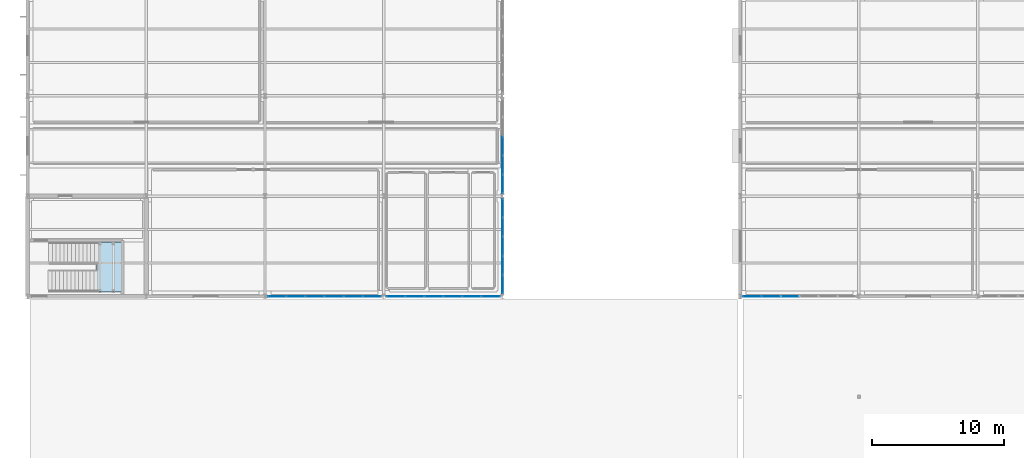
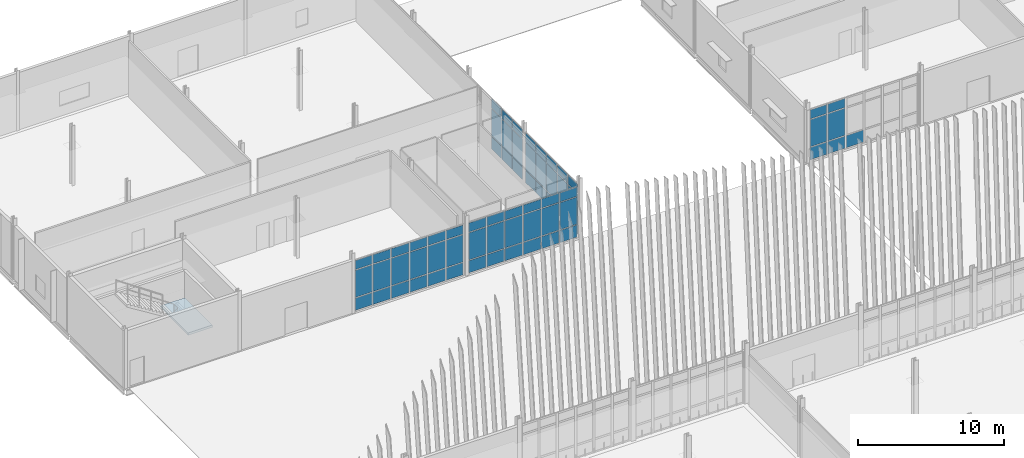
# One storey, part 127 of 161: 67 plates, 1 slab, 6 elements without a shape of their own.
"""IFC4 building model written with IfcOpenShell, lengths in metres."""

from ifc_helpers import new_model, si_unit, direction, frame, origin, origin_2d, place, context, subcontext, project, spatial, polyline, rectangle, outline, extrude, material, layer, layer_set, type_object, element, aggregate, save


model = new_model("IFC4")

# Units and contexts
model_context = context("Model", 3, precision=1e-05, world=origin(), true_north=direction((0.0, 1.0)))
body_context = subcontext(model_context, "Body", "Model", "MODEL_VIEW")
ifc_project = project(units=[si_unit("LENGTHUNIT", "METRE"), si_unit("AREAUNIT", "SQUARE_METRE"), si_unit("VOLUMEUNIT", "CUBIC_METRE"), si_unit("PLANEANGLEUNIT", "RADIAN"), si_unit("MASSUNIT", "GRAM", prefix="KILO")], contexts=[model_context])

# Site, building, storey
site_placement = place(None, origin())
site = spatial("IfcSite", under=ifc_project, at=site_placement, CompositionType="ELEMENT")
building_placement = place(site_placement, origin())
building = spatial("IfcBuilding", under=site, at=building_placement, Name="Caisbarro Railhouse Central Library", CompositionType="ELEMENT")
storey_placement = place(building_placement, origin())
storey = spatial("IfcBuildingStorey", under=building, at=storey_placement, Name="L00", CompositionType="ELEMENT", Elevation=0.0)

# Curtain wall, plates
ifc_material_1 = material(Name="Anodised architectural aluminium", Category="aluminium")
curtain_wall_type_1 = type_object("IfcCurtainWallType", Name="CW-CW02", PredefinedType="NOTDEFINED", material=ifc_material_1)
curtain_wall_1_placement = place(storey_placement, origin())
curtain_wall_1 = element("IfcCurtainWall", 1, at=curtain_wall_1_placement, inside=storey, type_object=curtain_wall_type_1, Name="CW02 curtain wall L00 #166", PredefinedType="NOTDEFINED")
ifc_material_2 = material(Name="Double low-e laminated solar-control glass", Category="glass")
ifc_layer_1 = layer(ifc_material_2, 0.01806640625, Name="Double low-e laminated solar-control glass")
ifc_layer_set_1 = layer_set([ifc_layer_1], Name="Double low-e laminated solar-control glass")
plate_type_1 = type_object("IfcPlateType", Name="CWP-CP18", PredefinedType="CURTAIN_PANEL", material=ifc_layer_set_1)
plate_1_placement = place(storey_placement, frame((54.902099609375, 83.60009765625, 0.06494140625), z_axis=(0.0, 0.0, 1.0), x_axis=(1.0, 0.0, 0.0)))
plate_1 = element("IfcPlate", 2, at=plate_1_placement, type_object=plate_type_1, Name="CW02 panel 1.1", PredefinedType="CURTAIN_PANEL", context=body_context, shape_type="SweptSolid", body=[
    extrude(rectangle(XDim=1.334228515625, YDim=0.01806640625, at=origin_2d()), origin(), (0.0, 0.0, 1.0), 1.0224609375),
])
plate_2_placement = place(storey_placement, frame((54.902099609375, 83.60009765625, 1.15234375), z_axis=(0.0, 0.0, 1.0), x_axis=(1.0, 0.0, 0.0)))
plate_2 = element("IfcPlate", 3, at=plate_2_placement, type_object=plate_type_1, Name="CW02 panel 1.2", PredefinedType="CURTAIN_PANEL", context=body_context, shape_type="SweptSolid", body=[
    extrude(rectangle(XDim=1.334228515625, YDim=0.01806640625, at=origin_2d()), origin(), (0.0, 0.0, 1.0), 2.264892578125),
])
plate_3_placement = place(storey_placement, frame((54.902099609375, 83.60009765625, 3.482421875), z_axis=(0.0, 0.0, 1.0), x_axis=(1.0, 0.0, 0.0)))
plate_3 = element("IfcPlate", 4, at=plate_3_placement, type_object=plate_type_1, Name="CW02 panel 1.3", PredefinedType="CURTAIN_PANEL", context=body_context, shape_type="SweptSolid", body=[
    extrude(rectangle(XDim=1.334228515625, YDim=0.01806640625, at=origin_2d()), origin(), (0.0, 0.0, 1.0), 0.75244140625),
])
plate_4_placement = place(storey_placement, frame((56.330078125, 83.60009765625, 0.06494140625), z_axis=(0.0, 0.0, 1.0), x_axis=(1.0, 0.0, 0.0)))
plate_4 = element("IfcPlate", 5, at=plate_4_placement, type_object=plate_type_1, Name="CW02 panel 2.1", PredefinedType="CURTAIN_PANEL", context=body_context, shape_type="SweptSolid", body=[
    extrude(rectangle(XDim=1.37158203125, YDim=0.01806640625, at=origin_2d()), origin(), (0.0, 0.0, 1.0), 1.0224609375),
])
plate_5_placement = place(storey_placement, frame((56.330078125, 83.60009765625, 1.15234375), z_axis=(0.0, 0.0, 1.0), x_axis=(1.0, 0.0, 0.0)))
plate_5 = element("IfcPlate", 6, at=plate_5_placement, type_object=plate_type_1, Name="CW02 panel 2.2", PredefinedType="CURTAIN_PANEL", context=body_context, shape_type="SweptSolid", body=[
    extrude(rectangle(XDim=1.37158203125, YDim=0.01806640625, at=origin_2d()), origin(), (0.0, 0.0, 1.0), 2.264892578125),
])
plate_6_placement = place(storey_placement, frame((56.330078125, 83.60009765625, 3.482421875), z_axis=(0.0, 0.0, 1.0), x_axis=(1.0, 0.0, 0.0)))
plate_6 = element("IfcPlate", 7, at=plate_6_placement, type_object=plate_type_1, Name="CW02 panel 2.3", PredefinedType="CURTAIN_PANEL", context=body_context, shape_type="SweptSolid", body=[
    extrude(rectangle(XDim=1.37158203125, YDim=0.01806640625, at=origin_2d()), origin(), (0.0, 0.0, 1.0), 0.75244140625),
])
plate_7_placement = place(storey_placement, frame((57.776611328125, 83.60009765625, 0.06494140625), z_axis=(0.0, 0.0, 1.0), x_axis=(1.0, 0.0, 0.0)))
plate_7 = element("IfcPlate", 8, at=plate_7_placement, type_object=plate_type_1, Name="CW02 panel 3.1", PredefinedType="CURTAIN_PANEL", context=body_context, shape_type="SweptSolid", body=[
    extrude(rectangle(XDim=1.37158203125, YDim=0.01806640625, at=origin_2d()), origin(), (0.0, 0.0, 1.0), 1.0224609375),
])
aggregate(curtain_wall_1, [plate_1, plate_2, plate_3, plate_4, plate_5, plate_6, plate_7])

curtain_wall_2_placement = place(storey_placement, origin())
curtain_wall_2 = element("IfcCurtainWall", 9, at=curtain_wall_2_placement, inside=storey, type_object=curtain_wall_type_1, Name="CW02 curtain wall L00 #76", PredefinedType="NOTDEFINED")
ifc_layer_2 = layer(ifc_material_2, 0.028076171875, Name="Double low-e laminated solar-control glass")
ifc_layer_set_2 = layer_set([ifc_layer_2], Name="Double low-e laminated solar-control glass")
plate_type_2 = type_object("IfcPlateType", Name="CWP-CP28", PredefinedType="CURTAIN_PANEL", material=ifc_layer_set_2)
plate_8_placement = place(storey_placement, frame((36.0, 84.5068359375, 0.06494140625), z_axis=(0.0, 0.0, 1.0), x_axis=(0.0, 1.0, 0.0)))
plate_8 = element("IfcPlate", 10, at=plate_8_placement, type_object=plate_type_2, Name="CW02 panel 1.1", PredefinedType="CURTAIN_PANEL", context=body_context, shape_type="SweptSolid", body=[
    extrude(rectangle(XDim=1.343505859375, YDim=0.028076171875, at=origin_2d()), origin(), (0.0, 0.0, 1.0), 1.0224609375),
])
plate_9_placement = place(storey_placement, frame((36.0, 84.5068359375, 1.15234375), z_axis=(0.0, 0.0, 1.0), x_axis=(0.0, 1.0, 0.0)))
plate_9 = element("IfcPlate", 11, at=plate_9_placement, type_object=plate_type_2, Name="CW02 panel 1.2", PredefinedType="CURTAIN_PANEL", context=body_context, shape_type="SweptSolid", body=[
    extrude(rectangle(XDim=1.343505859375, YDim=0.028076171875, at=origin_2d()), origin(), (0.0, 0.0, 1.0), 2.264892578125),
])
plate_10_placement = place(storey_placement, frame((36.0, 84.5068359375, 3.482421875), z_axis=(0.0, 0.0, 1.0), x_axis=(0.0, 1.0, 0.0)))
plate_10 = element("IfcPlate", 12, at=plate_10_placement, type_object=plate_type_2, Name="CW02 panel 1.3", PredefinedType="CURTAIN_PANEL", context=body_context, shape_type="SweptSolid", body=[
    extrude(rectangle(XDim=1.343505859375, YDim=0.028076171875, at=origin_2d()), origin(), (0.0, 0.0, 1.0), 0.75244140625),
])
plate_11_placement = place(storey_placement, frame((36.0, 85.944091796875, 0.06494140625), z_axis=(0.0, 0.0, 1.0), x_axis=(0.0, 1.0, 0.0)))
plate_11 = element("IfcPlate", 13, at=plate_11_placement, type_object=plate_type_2, Name="CW02 panel 2.1", PredefinedType="CURTAIN_PANEL", context=body_context, shape_type="SweptSolid", body=[
    extrude(rectangle(XDim=1.381103515625, YDim=0.028076171875, at=origin_2d()), origin(), (0.0, 0.0, 1.0), 1.0224609375),
])
plate_12_placement = place(storey_placement, frame((36.0, 85.944091796875, 1.15234375), z_axis=(0.0, 0.0, 1.0), x_axis=(0.0, 1.0, 0.0)))
plate_12 = element("IfcPlate", 14, at=plate_12_placement, type_object=plate_type_2, Name="CW02 panel 2.2", PredefinedType="CURTAIN_PANEL", context=body_context, shape_type="SweptSolid", body=[
    extrude(rectangle(XDim=1.381103515625, YDim=0.028076171875, at=origin_2d()), origin(), (0.0, 0.0, 1.0), 2.264892578125),
])
plate_13_placement = place(storey_placement, frame((36.0, 85.944091796875, 3.482421875), z_axis=(0.0, 0.0, 1.0), x_axis=(0.0, 1.0, 0.0)))
plate_13 = element("IfcPlate", 15, at=plate_13_placement, type_object=plate_type_2, Name="CW02 panel 2.3", PredefinedType="CURTAIN_PANEL", context=body_context, shape_type="SweptSolid", body=[
    extrude(rectangle(XDim=1.381103515625, YDim=0.028076171875, at=origin_2d()), origin(), (0.0, 0.0, 1.0), 0.75244140625),
])
plate_14_placement = place(storey_placement, frame((36.0, 87.39990234375, 0.06494140625), z_axis=(0.0, 0.0, 1.0), x_axis=(0.0, 1.0, 0.0)))
plate_14 = element("IfcPlate", 16, at=plate_14_placement, type_object=plate_type_2, Name="CW02 panel 3.1", PredefinedType="CURTAIN_PANEL", context=body_context, shape_type="SweptSolid", body=[
    extrude(rectangle(XDim=1.381103515625, YDim=0.028076171875, at=origin_2d()), origin(), (0.0, 0.0, 1.0), 1.0224609375),
])
plate_15_placement = place(storey_placement, frame((36.0, 87.39990234375, 1.15234375), z_axis=(0.0, 0.0, 1.0), x_axis=(0.0, 1.0, 0.0)))
plate_15 = element("IfcPlate", 17, at=plate_15_placement, type_object=plate_type_2, Name="CW02 panel 3.2", PredefinedType="CURTAIN_PANEL", context=body_context, shape_type="SweptSolid", body=[
    extrude(rectangle(XDim=1.381103515625, YDim=0.028076171875, at=origin_2d()), origin(), (0.0, 0.0, 1.0), 2.264892578125),
])
plate_16_placement = place(storey_placement, frame((36.0, 87.39990234375, 3.482421875), z_axis=(0.0, 0.0, 1.0), x_axis=(0.0, 1.0, 0.0)))
plate_16 = element("IfcPlate", 18, at=plate_16_placement, type_object=plate_type_2, Name="CW02 panel 3.3", PredefinedType="CURTAIN_PANEL", context=body_context, shape_type="SweptSolid", body=[
    extrude(rectangle(XDim=1.381103515625, YDim=0.028076171875, at=origin_2d()), origin(), (0.0, 0.0, 1.0), 0.75244140625),
])
plate_17_placement = place(storey_placement, frame((36.0, 88.85595703125, 0.06494140625), z_axis=(0.0, 0.0, 1.0), x_axis=(0.0, 1.0, 0.0)))
plate_17 = element("IfcPlate", 19, at=plate_17_placement, type_object=plate_type_2, Name="CW02 panel 4.1", PredefinedType="CURTAIN_PANEL", context=body_context, shape_type="SweptSolid", body=[
    extrude(rectangle(XDim=1.381103515625, YDim=0.028076171875, at=origin_2d()), origin(), (0.0, 0.0, 1.0), 1.0224609375),
])
plate_18_placement = place(storey_placement, frame((36.0, 88.85595703125, 1.15234375), z_axis=(0.0, 0.0, 1.0), x_axis=(0.0, 1.0, 0.0)))
plate_18 = element("IfcPlate", 20, at=plate_18_placement, type_object=plate_type_2, Name="CW02 panel 4.2", PredefinedType="CURTAIN_PANEL", context=body_context, shape_type="SweptSolid", body=[
    extrude(rectangle(XDim=1.381103515625, YDim=0.028076171875, at=origin_2d()), origin(), (0.0, 0.0, 1.0), 2.264892578125),
])
plate_19_placement = place(storey_placement, frame((36.0, 88.85595703125, 3.482421875), z_axis=(0.0, 0.0, 1.0), x_axis=(0.0, 1.0, 0.0)))
plate_19 = element("IfcPlate", 21, at=plate_19_placement, type_object=plate_type_2, Name="CW02 panel 4.3", PredefinedType="CURTAIN_PANEL", context=body_context, shape_type="SweptSolid", body=[
    extrude(rectangle(XDim=1.381103515625, YDim=0.028076171875, at=origin_2d()), origin(), (0.0, 0.0, 1.0), 0.75244140625),
])
plate_20_placement = place(storey_placement, frame((36.0, 90.293212890625, 0.06494140625), z_axis=(0.0, 0.0, 1.0), x_axis=(0.0, 1.0, 0.0)))
plate_20 = element("IfcPlate", 22, at=plate_20_placement, type_object=plate_type_2, Name="CW02 panel 5.1", PredefinedType="CURTAIN_PANEL", context=body_context, shape_type="SweptSolid", body=[
    extrude(rectangle(XDim=1.343505859375, YDim=0.028076171875, at=origin_2d()), origin(), (0.0, 0.0, 1.0), 1.0224609375),
])
plate_21_placement = place(storey_placement, frame((36.0, 90.293212890625, 1.15234375), z_axis=(0.0, 0.0, 1.0), x_axis=(0.0, 1.0, 0.0)))
plate_21 = element("IfcPlate", 23, at=plate_21_placement, type_object=plate_type_2, Name="CW02 panel 5.2", PredefinedType="CURTAIN_PANEL", context=body_context, shape_type="SweptSolid", body=[
    extrude(rectangle(XDim=1.343505859375, YDim=0.028076171875, at=origin_2d()), origin(), (0.0, 0.0, 1.0), 2.264892578125),
])
plate_22_placement = place(storey_placement, frame((36.0, 90.293212890625, 3.482421875), z_axis=(0.0, 0.0, 1.0), x_axis=(0.0, 1.0, 0.0)))
plate_22 = element("IfcPlate", 24, at=plate_22_placement, type_object=plate_type_2, Name="CW02 panel 5.3", PredefinedType="CURTAIN_PANEL", context=body_context, shape_type="SweptSolid", body=[
    extrude(rectangle(XDim=1.343505859375, YDim=0.028076171875, at=origin_2d()), origin(), (0.0, 0.0, 1.0), 0.75244140625),
])
aggregate(curtain_wall_2, [plate_8, plate_9, plate_10, plate_11, plate_12, plate_13, plate_14, plate_15, plate_16, plate_17, plate_18, plate_19, plate_20, plate_21, plate_22])

curtain_wall_3_placement = place(storey_placement, origin())
curtain_wall_3 = element("IfcCurtainWall", 25, at=curtain_wall_3_placement, inside=storey, type_object=curtain_wall_type_1, Name="CW02 curtain wall L00 #77", PredefinedType="NOTDEFINED")
plate_23_placement = place(storey_placement, frame((36.0, 92.106689453125, 0.06494140625), z_axis=(0.0, 0.0, 1.0), x_axis=(0.0, 1.0, 0.0)))
plate_23 = element("IfcPlate", 26, at=plate_23_placement, type_object=plate_type_2, Name="CW02 panel 1.1", PredefinedType="CURTAIN_PANEL", context=body_context, shape_type="SweptSolid", body=[
    extrude(rectangle(XDim=1.343505859375, YDim=0.028076171875, at=origin_2d()), origin(), (0.0, 0.0, 1.0), 1.0224609375),
])
plate_24_placement = place(storey_placement, frame((36.0, 92.106689453125, 1.15234375), z_axis=(0.0, 0.0, 1.0), x_axis=(0.0, 1.0, 0.0)))
plate_24 = element("IfcPlate", 27, at=plate_24_placement, type_object=plate_type_2, Name="CW02 panel 1.2", PredefinedType="CURTAIN_PANEL", context=body_context, shape_type="SweptSolid", body=[
    extrude(rectangle(XDim=1.343505859375, YDim=0.028076171875, at=origin_2d()), origin(), (0.0, 0.0, 1.0), 2.264892578125),
])
plate_25_placement = place(storey_placement, frame((36.0, 92.106689453125, 3.482421875), z_axis=(0.0, 0.0, 1.0), x_axis=(0.0, 1.0, 0.0)))
plate_25 = element("IfcPlate", 28, at=plate_25_placement, type_object=plate_type_2, Name="CW02 panel 1.3", PredefinedType="CURTAIN_PANEL", context=body_context, shape_type="SweptSolid", body=[
    extrude(rectangle(XDim=1.343505859375, YDim=0.028076171875, at=origin_2d()), origin(), (0.0, 0.0, 1.0), 0.75244140625),
])
plate_26_placement = place(storey_placement, frame((36.0, 93.5439453125, 0.06494140625), z_axis=(0.0, 0.0, 1.0), x_axis=(0.0, 1.0, 0.0)))
plate_26 = element("IfcPlate", 29, at=plate_26_placement, type_object=plate_type_2, Name="CW02 panel 2.1", PredefinedType="CURTAIN_PANEL", context=body_context, shape_type="SweptSolid", body=[
    extrude(rectangle(XDim=1.381103515625, YDim=0.028076171875, at=origin_2d()), origin(), (0.0, 0.0, 1.0), 1.0224609375),
])
plate_27_placement = place(storey_placement, frame((36.0, 93.5439453125, 1.15234375), z_axis=(0.0, 0.0, 1.0), x_axis=(0.0, 1.0, 0.0)))
plate_27 = element("IfcPlate", 30, at=plate_27_placement, type_object=plate_type_2, Name="CW02 panel 2.2", PredefinedType="CURTAIN_PANEL", context=body_context, shape_type="SweptSolid", body=[
    extrude(rectangle(XDim=1.381103515625, YDim=0.028076171875, at=origin_2d()), origin(), (0.0, 0.0, 1.0), 2.264892578125),
])
plate_28_placement = place(storey_placement, frame((36.0, 93.5439453125, 3.482421875), z_axis=(0.0, 0.0, 1.0), x_axis=(0.0, 1.0, 0.0)))
plate_28 = element("IfcPlate", 31, at=plate_28_placement, type_object=plate_type_2, Name="CW02 panel 2.3", PredefinedType="CURTAIN_PANEL", context=body_context, shape_type="SweptSolid", body=[
    extrude(rectangle(XDim=1.381103515625, YDim=0.028076171875, at=origin_2d()), origin(), (0.0, 0.0, 1.0), 0.75244140625),
])
plate_29_placement = place(storey_placement, frame((36.0, 95.0, 0.06494140625), z_axis=(0.0, 0.0, 1.0), x_axis=(0.0, 1.0, 0.0)))
plate_29 = element("IfcPlate", 32, at=plate_29_placement, type_object=plate_type_2, Name="CW02 panel 3.1", PredefinedType="CURTAIN_PANEL", context=body_context, shape_type="SweptSolid", body=[
    extrude(rectangle(XDim=1.381103515625, YDim=0.028076171875, at=origin_2d()), origin(), (0.0, 0.0, 1.0), 1.0224609375),
])
plate_30_placement = place(storey_placement, frame((36.0, 95.0, 1.15234375), z_axis=(0.0, 0.0, 1.0), x_axis=(0.0, 1.0, 0.0)))
plate_30 = element("IfcPlate", 33, at=plate_30_placement, type_object=plate_type_2, Name="CW02 panel 3.2", PredefinedType="CURTAIN_PANEL", context=body_context, shape_type="SweptSolid", body=[
    extrude(rectangle(XDim=1.381103515625, YDim=0.028076171875, at=origin_2d()), origin(), (0.0, 0.0, 1.0), 2.264892578125),
])
plate_31_placement = place(storey_placement, frame((36.0, 95.0, 3.482421875), z_axis=(0.0, 0.0, 1.0), x_axis=(0.0, 1.0, 0.0)))
plate_31 = element("IfcPlate", 34, at=plate_31_placement, type_object=plate_type_2, Name="CW02 panel 3.3", PredefinedType="CURTAIN_PANEL", context=body_context, shape_type="SweptSolid", body=[
    extrude(rectangle(XDim=1.381103515625, YDim=0.028076171875, at=origin_2d()), origin(), (0.0, 0.0, 1.0), 0.75244140625),
])
aggregate(curtain_wall_3, [plate_23, plate_24, plate_25, plate_26, plate_27, plate_28, plate_29, plate_30, plate_31])

curtain_wall_type_2 = type_object("IfcCurtainWallType", Name="CW-CW01", PredefinedType="NOTDEFINED", material=ifc_material_1)
curtain_wall_4_placement = place(storey_placement, origin())
curtain_wall_4 = element("IfcCurtainWall", 35, at=curtain_wall_4_placement, inside=storey, type_object=curtain_wall_type_2, Name="CW01 curtain wall L00 #74", PredefinedType="NOTDEFINED")
ifc_layer_3 = layer(ifc_material_2, 0.0380859375, Name="Double low-e laminated solar-control glass")
ifc_layer_set_3 = layer_set([ifc_layer_3], Name="Double low-e laminated solar-control glass")
plate_type_3 = type_object("IfcPlateType", Name="CWP-CP38", PredefinedType="CURTAIN_PANEL", material=ifc_layer_set_3)
plate_32_placement = place(storey_placement, frame((18.899658203125, 83.60009765625, 0.06494140625), z_axis=(0.0, 0.0, 1.0), x_axis=(1.0, 0.0, 0.0)))
plate_32 = element("IfcPlate", 36, at=plate_32_placement, type_object=plate_type_3, Name="CW01 panel 1.1", PredefinedType="CURTAIN_PANEL", context=body_context, shape_type="SweptSolid", body=[
    extrude(rectangle(XDim=1.34912109375, YDim=0.0380859375, at=origin_2d()), origin(), (0.0, 0.0, 1.0), 1.0224609375),
])
plate_33_placement = place(storey_placement, frame((18.899658203125, 83.60009765625, 1.15234375), z_axis=(0.0, 0.0, 1.0), x_axis=(1.0, 0.0, 0.0)))
plate_33 = element("IfcPlate", 37, at=plate_33_placement, type_object=plate_type_3, Name="CW01 panel 1.2", PredefinedType="CURTAIN_PANEL", context=body_context, shape_type="SweptSolid", body=[
    extrude(rectangle(XDim=1.34912109375, YDim=0.0380859375, at=origin_2d()), origin(), (0.0, 0.0, 1.0), 2.264892578125),
])
plate_34_placement = place(storey_placement, frame((18.899658203125, 83.60009765625, 3.482421875), z_axis=(0.0, 0.0, 1.0), x_axis=(1.0, 0.0, 0.0)))
plate_34 = element("IfcPlate", 38, at=plate_34_placement, type_object=plate_type_3, Name="CW01 panel 1.3", PredefinedType="CURTAIN_PANEL", context=body_context, shape_type="SweptSolid", body=[
    extrude(rectangle(XDim=1.34912109375, YDim=0.0380859375, at=origin_2d()), origin(), (0.0, 0.0, 1.0), 0.75244140625),
])
plate_35_placement = place(storey_placement, frame((20.330078125, 83.60009765625, 0.06494140625), z_axis=(0.0, 0.0, 1.0), x_axis=(1.0, 0.0, 0.0)))
plate_35 = element("IfcPlate", 39, at=plate_35_placement, type_object=plate_type_3, Name="CW01 panel 2.1", PredefinedType="CURTAIN_PANEL", context=body_context, shape_type="SweptSolid", body=[
    extrude(rectangle(XDim=1.381591796875, YDim=0.0380859375, at=origin_2d()), origin(), (0.0, 0.0, 1.0), 1.0224609375),
])
plate_36_placement = place(storey_placement, frame((20.330078125, 83.60009765625, 1.15234375), z_axis=(0.0, 0.0, 1.0), x_axis=(1.0, 0.0, 0.0)))
plate_36 = element("IfcPlate", 40, at=plate_36_placement, type_object=plate_type_3, Name="CW01 panel 2.2", PredefinedType="CURTAIN_PANEL", context=body_context, shape_type="SweptSolid", body=[
    extrude(rectangle(XDim=1.381591796875, YDim=0.0380859375, at=origin_2d()), origin(), (0.0, 0.0, 1.0), 2.264892578125),
])
plate_37_placement = place(storey_placement, frame((20.330078125, 83.60009765625, 3.482421875), z_axis=(0.0, 0.0, 1.0), x_axis=(1.0, 0.0, 0.0)))
plate_37 = element("IfcPlate", 41, at=plate_37_placement, type_object=plate_type_3, Name="CW01 panel 2.3", PredefinedType="CURTAIN_PANEL", context=body_context, shape_type="SweptSolid", body=[
    extrude(rectangle(XDim=1.381591796875, YDim=0.0380859375, at=origin_2d()), origin(), (0.0, 0.0, 1.0), 0.75244140625),
])
plate_38_placement = place(storey_placement, frame((21.776611328125, 83.60009765625, 0.06494140625), z_axis=(0.0, 0.0, 1.0), x_axis=(1.0, 0.0, 0.0)))
plate_38 = element("IfcPlate", 42, at=plate_38_placement, type_object=plate_type_3, Name="CW01 panel 3.1", PredefinedType="CURTAIN_PANEL", context=body_context, shape_type="SweptSolid", body=[
    extrude(rectangle(XDim=1.381591796875, YDim=0.0380859375, at=origin_2d()), origin(), (0.0, 0.0, 1.0), 1.0224609375),
])
plate_39_placement = place(storey_placement, frame((21.776611328125, 83.60009765625, 1.15234375), z_axis=(0.0, 0.0, 1.0), x_axis=(1.0, 0.0, 0.0)))
plate_39 = element("IfcPlate", 43, at=plate_39_placement, type_object=plate_type_3, Name="CW01 panel 3.2", PredefinedType="CURTAIN_PANEL", context=body_context, shape_type="SweptSolid", body=[
    extrude(rectangle(XDim=1.381591796875, YDim=0.0380859375, at=origin_2d()), origin(), (0.0, 0.0, 1.0), 2.264892578125),
])
plate_40_placement = place(storey_placement, frame((21.776611328125, 83.60009765625, 3.482421875), z_axis=(0.0, 0.0, 1.0), x_axis=(1.0, 0.0, 0.0)))
plate_40 = element("IfcPlate", 44, at=plate_40_placement, type_object=plate_type_3, Name="CW01 panel 3.3", PredefinedType="CURTAIN_PANEL", context=body_context, shape_type="SweptSolid", body=[
    extrude(rectangle(XDim=1.381591796875, YDim=0.0380859375, at=origin_2d()), origin(), (0.0, 0.0, 1.0), 0.75244140625),
])
plate_41_placement = place(storey_placement, frame((23.223388671875, 83.60009765625, 0.06494140625), z_axis=(0.0, 0.0, 1.0), x_axis=(1.0, 0.0, 0.0)))
plate_41 = element("IfcPlate", 45, at=plate_41_placement, type_object=plate_type_3, Name="CW01 panel 4.1", PredefinedType="CURTAIN_PANEL", context=body_context, shape_type="SweptSolid", body=[
    extrude(rectangle(XDim=1.381591796875, YDim=0.0380859375, at=origin_2d()), origin(), (0.0, 0.0, 1.0), 1.0224609375),
])
plate_42_placement = place(storey_placement, frame((23.223388671875, 83.60009765625, 1.15234375), z_axis=(0.0, 0.0, 1.0), x_axis=(1.0, 0.0, 0.0)))
plate_42 = element("IfcPlate", 46, at=plate_42_placement, type_object=plate_type_3, Name="CW01 panel 4.2", PredefinedType="CURTAIN_PANEL", context=body_context, shape_type="SweptSolid", body=[
    extrude(rectangle(XDim=1.381591796875, YDim=0.0380859375, at=origin_2d()), origin(), (0.0, 0.0, 1.0), 2.264892578125),
])
plate_43_placement = place(storey_placement, frame((23.223388671875, 83.60009765625, 3.482421875), z_axis=(0.0, 0.0, 1.0), x_axis=(1.0, 0.0, 0.0)))
plate_43 = element("IfcPlate", 47, at=plate_43_placement, type_object=plate_type_3, Name="CW01 panel 4.3", PredefinedType="CURTAIN_PANEL", context=body_context, shape_type="SweptSolid", body=[
    extrude(rectangle(XDim=1.381591796875, YDim=0.0380859375, at=origin_2d()), origin(), (0.0, 0.0, 1.0), 0.75244140625),
])
plate_44_placement = place(storey_placement, frame((24.669921875, 83.60009765625, 0.06494140625), z_axis=(0.0, 0.0, 1.0), x_axis=(1.0, 0.0, 0.0)))
plate_44 = element("IfcPlate", 48, at=plate_44_placement, type_object=plate_type_3, Name="CW01 panel 5.1", PredefinedType="CURTAIN_PANEL", context=body_context, shape_type="SweptSolid", body=[
    extrude(rectangle(XDim=1.381591796875, YDim=0.0380859375, at=origin_2d()), origin(), (0.0, 0.0, 1.0), 1.0224609375),
])
plate_45_placement = place(storey_placement, frame((24.669921875, 83.60009765625, 1.15234375), z_axis=(0.0, 0.0, 1.0), x_axis=(1.0, 0.0, 0.0)))
plate_45 = element("IfcPlate", 49, at=plate_45_placement, type_object=plate_type_3, Name="CW01 panel 5.2", PredefinedType="CURTAIN_PANEL", context=body_context, shape_type="SweptSolid", body=[
    extrude(rectangle(XDim=1.381591796875, YDim=0.0380859375, at=origin_2d()), origin(), (0.0, 0.0, 1.0), 2.264892578125),
])
plate_46_placement = place(storey_placement, frame((24.669921875, 83.60009765625, 3.482421875), z_axis=(0.0, 0.0, 1.0), x_axis=(1.0, 0.0, 0.0)))
plate_46 = element("IfcPlate", 50, at=plate_46_placement, type_object=plate_type_3, Name="CW01 panel 5.3", PredefinedType="CURTAIN_PANEL", context=body_context, shape_type="SweptSolid", body=[
    extrude(rectangle(XDim=1.381591796875, YDim=0.0380859375, at=origin_2d()), origin(), (0.0, 0.0, 1.0), 0.75244140625),
])
plate_47_placement = place(storey_placement, frame((26.100341796875, 83.60009765625, 0.06494140625), z_axis=(0.0, 0.0, 1.0), x_axis=(1.0, 0.0, 0.0)))
plate_47 = element("IfcPlate", 51, at=plate_47_placement, type_object=plate_type_3, Name="CW01 panel 6.1", PredefinedType="CURTAIN_PANEL", context=body_context, shape_type="SweptSolid", body=[
    extrude(rectangle(XDim=1.34912109375, YDim=0.0380859375, at=origin_2d()), origin(), (0.0, 0.0, 1.0), 1.0224609375),
])
plate_48_placement = place(storey_placement, frame((26.100341796875, 83.60009765625, 1.15234375), z_axis=(0.0, 0.0, 1.0), x_axis=(1.0, 0.0, 0.0)))
plate_48 = element("IfcPlate", 52, at=plate_48_placement, type_object=plate_type_3, Name="CW01 panel 6.2", PredefinedType="CURTAIN_PANEL", context=body_context, shape_type="SweptSolid", body=[
    extrude(rectangle(XDim=1.34912109375, YDim=0.0380859375, at=origin_2d()), origin(), (0.0, 0.0, 1.0), 2.264892578125),
])
plate_49_placement = place(storey_placement, frame((26.100341796875, 83.60009765625, 3.482421875), z_axis=(0.0, 0.0, 1.0), x_axis=(1.0, 0.0, 0.0)))
plate_49 = element("IfcPlate", 53, at=plate_49_placement, type_object=plate_type_3, Name="CW01 panel 6.3", PredefinedType="CURTAIN_PANEL", context=body_context, shape_type="SweptSolid", body=[
    extrude(rectangle(XDim=1.34912109375, YDim=0.0380859375, at=origin_2d()), origin(), (0.0, 0.0, 1.0), 0.75244140625),
])
aggregate(curtain_wall_4, [plate_32, plate_33, plate_34, plate_35, plate_36, plate_37, plate_38, plate_39, plate_40, plate_41, plate_42, plate_43, plate_44, plate_45, plate_46, plate_47, plate_48, plate_49])

curtain_wall_5_placement = place(storey_placement, origin())
curtain_wall_5 = element("IfcCurtainWall", 54, at=curtain_wall_5_placement, inside=storey, type_object=curtain_wall_type_2, Name="CW01 curtain wall L00 #75", PredefinedType="NOTDEFINED")
ifc_layer_4 = layer(ifc_material_2, 0.048095703125, Name="Double low-e laminated solar-control glass")
ifc_layer_set_4 = layer_set([ifc_layer_4], Name="Double low-e laminated solar-control glass")
plate_type_4 = type_object("IfcPlateType", Name="CWP-CP48", PredefinedType="CURTAIN_PANEL", material=ifc_layer_set_4)
plate_50_placement = place(storey_placement, frame((27.899658203125, 83.60009765625, 0.06494140625), z_axis=(0.0, 0.0, 1.0), x_axis=(1.0, 0.0, 0.0)))
plate_50 = element("IfcPlate", 55, at=plate_50_placement, type_object=plate_type_4, Name="CW01 panel 1.1", PredefinedType="CURTAIN_PANEL", context=body_context, shape_type="SweptSolid", body=[
    extrude(rectangle(XDim=1.34912109375, YDim=0.048095703125, at=origin_2d()), origin(), (0.0, 0.0, 1.0), 1.0224609375),
])
plate_51_placement = place(storey_placement, frame((27.899658203125, 83.60009765625, 1.15234375), z_axis=(0.0, 0.0, 1.0), x_axis=(1.0, 0.0, 0.0)))
plate_51 = element("IfcPlate", 56, at=plate_51_placement, type_object=plate_type_4, Name="CW01 panel 1.2", PredefinedType="CURTAIN_PANEL", context=body_context, shape_type="SweptSolid", body=[
    extrude(rectangle(XDim=1.34912109375, YDim=0.048095703125, at=origin_2d()), origin(), (0.0, 0.0, 1.0), 2.264892578125),
])
plate_52_placement = place(storey_placement, frame((27.899658203125, 83.60009765625, 3.482421875), z_axis=(0.0, 0.0, 1.0), x_axis=(1.0, 0.0, 0.0)))
plate_52 = element("IfcPlate", 57, at=plate_52_placement, type_object=plate_type_4, Name="CW01 panel 1.3", PredefinedType="CURTAIN_PANEL", context=body_context, shape_type="SweptSolid", body=[
    extrude(rectangle(XDim=1.34912109375, YDim=0.048095703125, at=origin_2d()), origin(), (0.0, 0.0, 1.0), 0.75244140625),
])
plate_53_placement = place(storey_placement, frame((29.330078125, 83.60009765625, 0.06494140625), z_axis=(0.0, 0.0, 1.0), x_axis=(1.0, 0.0, 0.0)))
plate_53 = element("IfcPlate", 58, at=plate_53_placement, type_object=plate_type_4, Name="CW01 panel 2.1", PredefinedType="CURTAIN_PANEL", context=body_context, shape_type="SweptSolid", body=[
    extrude(rectangle(XDim=1.381591796875, YDim=0.048095703125, at=origin_2d()), origin(), (0.0, 0.0, 1.0), 1.0224609375),
])
plate_54_placement = place(storey_placement, frame((29.330078125, 83.60009765625, 1.15234375), z_axis=(0.0, 0.0, 1.0), x_axis=(1.0, 0.0, 0.0)))
plate_54 = element("IfcPlate", 59, at=plate_54_placement, type_object=plate_type_4, Name="CW01 panel 2.2", PredefinedType="CURTAIN_PANEL", context=body_context, shape_type="SweptSolid", body=[
    extrude(rectangle(XDim=1.381591796875, YDim=0.048095703125, at=origin_2d()), origin(), (0.0, 0.0, 1.0), 2.264892578125),
])
plate_55_placement = place(storey_placement, frame((29.330078125, 83.60009765625, 3.482421875), z_axis=(0.0, 0.0, 1.0), x_axis=(1.0, 0.0, 0.0)))
plate_55 = element("IfcPlate", 60, at=plate_55_placement, type_object=plate_type_4, Name="CW01 panel 2.3", PredefinedType="CURTAIN_PANEL", context=body_context, shape_type="SweptSolid", body=[
    extrude(rectangle(XDim=1.381591796875, YDim=0.048095703125, at=origin_2d()), origin(), (0.0, 0.0, 1.0), 0.75244140625),
])
plate_56_placement = place(storey_placement, frame((30.776611328125, 83.60009765625, 0.06494140625), z_axis=(0.0, 0.0, 1.0), x_axis=(1.0, 0.0, 0.0)))
plate_56 = element("IfcPlate", 61, at=plate_56_placement, type_object=plate_type_4, Name="CW01 panel 3.1", PredefinedType="CURTAIN_PANEL", context=body_context, shape_type="SweptSolid", body=[
    extrude(rectangle(XDim=1.381591796875, YDim=0.048095703125, at=origin_2d()), origin(), (0.0, 0.0, 1.0), 1.0224609375),
])
plate_57_placement = place(storey_placement, frame((30.776611328125, 83.60009765625, 1.15234375), z_axis=(0.0, 0.0, 1.0), x_axis=(1.0, 0.0, 0.0)))
plate_57 = element("IfcPlate", 62, at=plate_57_placement, type_object=plate_type_4, Name="CW01 panel 3.2", PredefinedType="CURTAIN_PANEL", context=body_context, shape_type="SweptSolid", body=[
    extrude(rectangle(XDim=1.381591796875, YDim=0.048095703125, at=origin_2d()), origin(), (0.0, 0.0, 1.0), 2.264892578125),
])
plate_58_placement = place(storey_placement, frame((30.776611328125, 83.60009765625, 3.482421875), z_axis=(0.0, 0.0, 1.0), x_axis=(1.0, 0.0, 0.0)))
plate_58 = element("IfcPlate", 63, at=plate_58_placement, type_object=plate_type_4, Name="CW01 panel 3.3", PredefinedType="CURTAIN_PANEL", context=body_context, shape_type="SweptSolid", body=[
    extrude(rectangle(XDim=1.381591796875, YDim=0.048095703125, at=origin_2d()), origin(), (0.0, 0.0, 1.0), 0.75244140625),
])
plate_59_placement = place(storey_placement, frame((32.223388671875, 83.60009765625, 0.06494140625), z_axis=(0.0, 0.0, 1.0), x_axis=(1.0, 0.0, 0.0)))
plate_59 = element("IfcPlate", 64, at=plate_59_placement, type_object=plate_type_4, Name="CW01 panel 4.1", PredefinedType="CURTAIN_PANEL", context=body_context, shape_type="SweptSolid", body=[
    extrude(rectangle(XDim=1.381591796875, YDim=0.048095703125, at=origin_2d()), origin(), (0.0, 0.0, 1.0), 1.0224609375),
])
plate_60_placement = place(storey_placement, frame((32.223388671875, 83.60009765625, 1.15234375), z_axis=(0.0, 0.0, 1.0), x_axis=(1.0, 0.0, 0.0)))
plate_60 = element("IfcPlate", 65, at=plate_60_placement, type_object=plate_type_4, Name="CW01 panel 4.2", PredefinedType="CURTAIN_PANEL", context=body_context, shape_type="SweptSolid", body=[
    extrude(rectangle(XDim=1.381591796875, YDim=0.048095703125, at=origin_2d()), origin(), (0.0, 0.0, 1.0), 2.264892578125),
])
plate_61_placement = place(storey_placement, frame((32.223388671875, 83.60009765625, 3.482421875), z_axis=(0.0, 0.0, 1.0), x_axis=(1.0, 0.0, 0.0)))
plate_61 = element("IfcPlate", 66, at=plate_61_placement, type_object=plate_type_4, Name="CW01 panel 4.3", PredefinedType="CURTAIN_PANEL", context=body_context, shape_type="SweptSolid", body=[
    extrude(rectangle(XDim=1.381591796875, YDim=0.048095703125, at=origin_2d()), origin(), (0.0, 0.0, 1.0), 0.75244140625),
])
plate_62_placement = place(storey_placement, frame((33.669921875, 83.60009765625, 0.06494140625), z_axis=(0.0, 0.0, 1.0), x_axis=(1.0, 0.0, 0.0)))
plate_62 = element("IfcPlate", 67, at=plate_62_placement, type_object=plate_type_4, Name="CW01 panel 5.1", PredefinedType="CURTAIN_PANEL", context=body_context, shape_type="SweptSolid", body=[
    extrude(rectangle(XDim=1.381591796875, YDim=0.048095703125, at=origin_2d()), origin(), (0.0, 0.0, 1.0), 1.0224609375),
])
plate_63_placement = place(storey_placement, frame((33.669921875, 83.60009765625, 1.15234375), z_axis=(0.0, 0.0, 1.0), x_axis=(1.0, 0.0, 0.0)))
plate_63 = element("IfcPlate", 68, at=plate_63_placement, type_object=plate_type_4, Name="CW01 panel 5.2", PredefinedType="CURTAIN_PANEL", context=body_context, shape_type="SweptSolid", body=[
    extrude(rectangle(XDim=1.381591796875, YDim=0.048095703125, at=origin_2d()), origin(), (0.0, 0.0, 1.0), 2.264892578125),
])
plate_64_placement = place(storey_placement, frame((33.669921875, 83.60009765625, 3.482421875), z_axis=(0.0, 0.0, 1.0), x_axis=(1.0, 0.0, 0.0)))
plate_64 = element("IfcPlate", 69, at=plate_64_placement, type_object=plate_type_4, Name="CW01 panel 5.3", PredefinedType="CURTAIN_PANEL", context=body_context, shape_type="SweptSolid", body=[
    extrude(rectangle(XDim=1.381591796875, YDim=0.048095703125, at=origin_2d()), origin(), (0.0, 0.0, 1.0), 0.75244140625),
])
plate_65_placement = place(storey_placement, frame((35.100341796875, 83.60009765625, 0.06494140625), z_axis=(0.0, 0.0, 1.0), x_axis=(1.0, 0.0, 0.0)))
plate_65 = element("IfcPlate", 70, at=plate_65_placement, type_object=plate_type_4, Name="CW01 panel 6.1", PredefinedType="CURTAIN_PANEL", context=body_context, shape_type="SweptSolid", body=[
    extrude(rectangle(XDim=1.34912109375, YDim=0.048095703125, at=origin_2d()), origin(), (0.0, 0.0, 1.0), 1.0224609375),
])
plate_66_placement = place(storey_placement, frame((35.100341796875, 83.60009765625, 1.15234375), z_axis=(0.0, 0.0, 1.0), x_axis=(1.0, 0.0, 0.0)))
plate_66 = element("IfcPlate", 71, at=plate_66_placement, type_object=plate_type_4, Name="CW01 panel 6.2", PredefinedType="CURTAIN_PANEL", context=body_context, shape_type="SweptSolid", body=[
    extrude(rectangle(XDim=1.34912109375, YDim=0.048095703125, at=origin_2d()), origin(), (0.0, 0.0, 1.0), 2.264892578125),
])
plate_67_placement = place(storey_placement, frame((35.100341796875, 83.60009765625, 3.482421875), z_axis=(0.0, 0.0, 1.0), x_axis=(1.0, 0.0, 0.0)))
plate_67 = element("IfcPlate", 72, at=plate_67_placement, type_object=plate_type_4, Name="CW01 panel 6.3", PredefinedType="CURTAIN_PANEL", context=body_context, shape_type="SweptSolid", body=[
    extrude(rectangle(XDim=1.34912109375, YDim=0.048095703125, at=origin_2d()), origin(), (0.0, 0.0, 1.0), 0.75244140625),
])
aggregate(curtain_wall_5, [plate_50, plate_51, plate_52, plate_53, plate_54, plate_55, plate_56, plate_57, plate_58, plate_59, plate_60, plate_61, plate_62, plate_63, plate_64, plate_65, plate_66, plate_67])

# Stair, slab
ifc_material_3 = material(Name="Concrete C35", Category="concrete")
stair_type = type_object("IfcStairType", Name="STR-ST50", PredefinedType="HALF_TURN_STAIR", material=ifc_material_3)
stair_placement = place(storey_placement, origin())
stair = element("IfcStair", 73, at=stair_placement, inside=storey, type_object=stair_type, Name="Protected Stair ST-08 (L00)", PredefinedType="HALF_TURN_STAIR")
ifc_layer_5 = layer(ifc_material_3, 0.18994140625, Name="Concrete C35")
ifc_layer_set_5 = layer_set([ifc_layer_5], Name="Concrete C35")
slab_type = type_object("IfcSlabType", Name="SLB-LND19", PredefinedType="LANDING", material=ifc_layer_set_5)
slab_placement = place(storey_placement, frame((0.0, 0.0, 2.330078125)))
slab = element("IfcSlab", 74, at=slab_placement, type_object=slab_type, Name="ST-08 landing 1", PredefinedType="LANDING", context=body_context, shape_type="SweptSolid", body=[
    extrude(outline(polyline([(5.199951171875, 83.93994140625), (7.1201171875, 83.93994140625), (7.1201171875, 87.7099609375), (5.199951171875, 87.7099609375), (5.199951171875, 83.93994140625)])), origin(), (0.0, 0.0, 1.0), 0.18994140625),
])
aggregate(stair, [slab])

save(model, "model.ifc")
